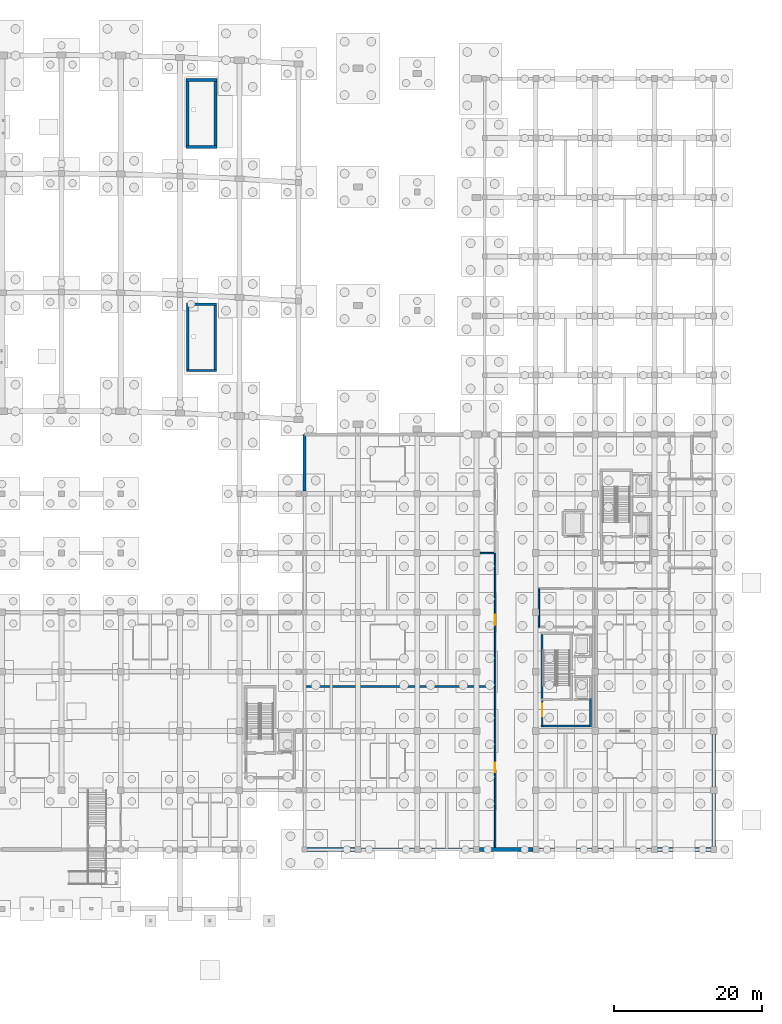
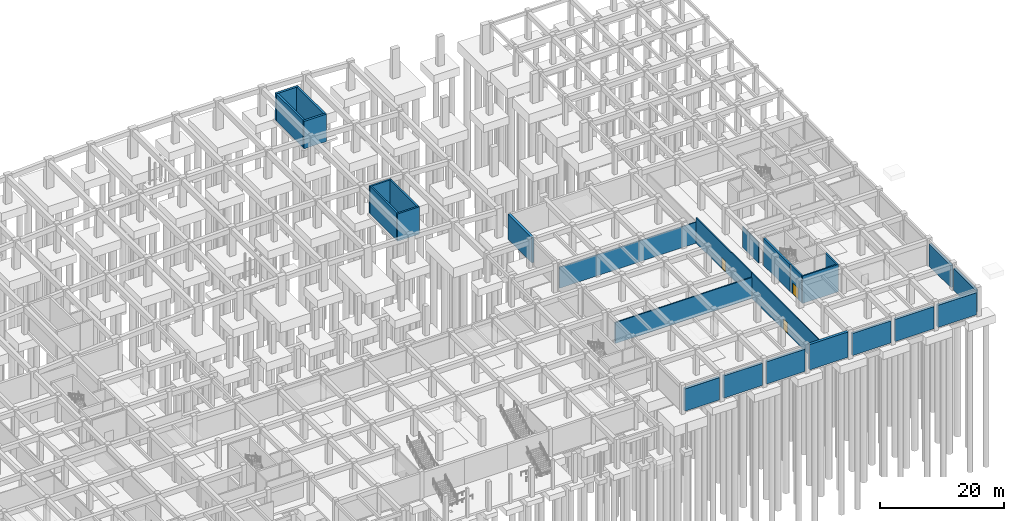
# One storey, part 29 of 45: 27 walls, 3 doors, 3 openings.
"""IFC4 building model written with IfcOpenShell, lengths in metres."""

from ifc_helpers import new_model, si_unit, direction, frame, frame_2d, origin, place, context, subcontext, project, spatial, rectangle, extrude, material, layer, layer_set, type_object, element, fill, save


model = new_model("IFC4")

# Units and contexts
model_context = context("Model", 3, precision=1e-05, world=origin(), true_north=direction((0.0, 1.0)))
body_context = subcontext(model_context, "Body", "Model", "MODEL_VIEW")
ifc_project = project(units=[si_unit("LENGTHUNIT", "METRE"), si_unit("AREAUNIT", "SQUARE_METRE"), si_unit("VOLUMEUNIT", "CUBIC_METRE"), si_unit("PLANEANGLEUNIT", "RADIAN"), si_unit("MASSUNIT", "GRAM", prefix="KILO")], contexts=[model_context])

# Site, building, storey
site_placement = place(None, origin())
site = spatial("IfcSite", under=ifc_project, at=site_placement, CompositionType="ELEMENT")
building_placement = place(site_placement, origin())
building = spatial("IfcBuilding", under=site, at=building_placement, Name="Kenh Van Central Station", CompositionType="ELEMENT")
storey_placement = place(building_placement, frame((0.0, 0.0, -5.39990234375)))
storey = spatial("IfcBuildingStorey", under=building, at=storey_placement, Name="B1", CompositionType="ELEMENT", Elevation=-5.39990234375)

# Wall, opening, door
ifc_material_1 = material(Name="Lightweight acoustic masonry blockwork", Category="masonry")
ifc_layer_1 = layer(ifc_material_1, 0.18994140625, Name="Lightweight acoustic masonry blockwork")
ifc_layer_set_1 = layer_set([ifc_layer_1], Name="Lightweight acoustic masonry blockwork")
wall_type_1 = type_object("IfcWallType", Name="WL-COMP-190", PredefinedType="SOLIDWALL", material=ifc_layer_set_1)
wall_1_placement = place(storey_placement, frame((146.5, 8.1201171875, 0.0), z_axis=(0.0, 0.0, 1.0), x_axis=(0.0, 1.0, 0.0)))
wall_1 = element("IfcWall", 1, at=wall_1_placement, inside=storey, type_object=wall_type_1, Name="B1 interior wall 0023", PredefinedType="SOLIDWALL", context=body_context, shape_type="SweptSolid", body=[
    extrude(rectangle(XDim=21.85986328125, YDim=0.18994140625, at=frame_2d((10.929931640625, 0.0))), origin(), (0.0, 0.0, 1.0), 5.0),
])
opening_1_placement = place(wall_1_placement, frame((10.280029296875, 0.0, 0.0)))
opening_1 = element("IfcOpeningElement", 2, at=opening_1_placement, cuts=wall_1, Name="Opening D-FD60P", PredefinedType="OPENING", context=body_context, shape_type="SweptSolid", body=[
    extrude(rectangle(XDim=1.300048828125, YDim=2.199951171875, at=frame_2d((0.64990234375, 1.10009765625))), frame((0.0, 0.10498046875, 0.0), z_axis=(0.0, -1.0, 0.0), x_axis=(1.0, 0.0, 0.0)), (0.0, 0.0, 1.0), 0.2099609375),
])
ifc_material_2 = material(Name="Champagne anodised aluminium", Category="aluminium")
door_type_1 = type_object("IfcDoorType", Name="DR-FIRE-1300x2200", OperationType="NOTDEFINED", PredefinedType="DOOR", material=ifc_material_2)
door_1_placement = place(opening_1_placement, origin())
door_1 = element("IfcDoor", 3, at=door_1_placement, inside=storey, type_object=door_type_1, Name="B1 interior door 0013", OperationType="SINGLE_SWING_RIGHT", OverallHeight=2.199951171875, OverallWidth=1.300048828125, PredefinedType="DOOR", context=body_context, shape_type="SweptSolid", body=[
    extrude(rectangle(XDim=1.300048828125, YDim=2.199951171875, at=frame_2d((0.64990234375, 1.10009765625))), frame((0.0, 0.02490234375, 0.0), z_axis=(0.0, -1.0, 0.0), x_axis=(1.0, 0.0, 0.0)), (0.0, 0.0, 1.0), 0.050048828125),
])
fill(opening_1, door_1)

# Walls
wall_2_placement = place(storey_placement, frame((120.919921875, 48.0, 0.0), z_axis=(0.0, 0.0, 1.0), x_axis=(1.0, 0.0, 0.0)))
element("IfcWall", 4, at=wall_2_placement, inside=storey, type_object=wall_type_1, Name="B1 interior wall 0027", PredefinedType="SOLIDWALL", context=body_context, shape_type="SweptSolid", body=[
    extrude(rectangle(XDim=25.56005859375, YDim=0.18994140625, at=frame_2d((12.780029296875, 0.0))), origin(), (0.0, 0.0, 1.0), 4.14990234375),
])
wall_3_placement = place(storey_placement, frame((152.39990234375, 38.02001953125, 0.0), z_axis=(0.0, 0.0, 1.0), x_axis=(0.0, 1.0, 0.0)))
element("IfcWall", 5, at=wall_3_placement, inside=storey, type_object=wall_type_1, Name="B1 interior wall 0037", PredefinedType="SOLIDWALL", context=body_context, shape_type="SweptSolid", body=[
    extrude(rectangle(XDim=5.159912109375, YDim=0.18994140625, at=frame_2d((2.580078125, 0.0))), origin(), (0.0, 0.0, 1.0), 4.10986328125),
])

# Wall, opening, door
ifc_layer_2 = layer(ifc_material_1, 0.2099609375, Name="Lightweight acoustic masonry blockwork")
ifc_layer_set_2 = layer_set([ifc_layer_2], Name="Lightweight acoustic masonry blockwork")
wall_type_2 = type_object("IfcWallType", Name="WL-COMP-210", PredefinedType="SOLIDWALL", material=ifc_layer_set_2)
wall_4_placement = place(storey_placement, frame((146.5, 30.02001953125, 0.0), z_axis=(0.0, 0.0, 1.0), x_axis=(0.0, 1.0, 0.0)))
wall_4 = element("IfcWall", 6, at=wall_4_placement, inside=storey, type_object=wall_type_2, Name="B1 interior wall 0024", PredefinedType="SOLIDWALL", context=body_context, shape_type="SweptSolid", body=[
    extrude(rectangle(XDim=17.9599609375, YDim=0.2099609375, at=frame_2d((8.97998046875, 0.0))), origin(), (0.0, 0.0, 1.0), 5.0),
])
opening_2_placement = place(wall_4_placement, frame((8.330078125, 0.0, 0.0)))
opening_2 = element("IfcOpeningElement", 7, at=opening_2_placement, cuts=wall_4, Name="Opening D-FD60P", PredefinedType="OPENING", context=body_context, shape_type="SweptSolid", body=[
    extrude(rectangle(XDim=1.300048828125, YDim=2.199951171875, at=frame_2d((0.64990234375, 1.10009765625))), frame((0.0, 0.114990234375, 0.0), z_axis=(0.0, -1.0, 0.0), x_axis=(1.0, 0.0, 0.0)), (0.0, 0.0, 1.0), 0.22998046875),
])
door_2_placement = place(opening_2_placement, origin())
door_2 = element("IfcDoor", 8, at=door_2_placement, inside=storey, type_object=door_type_1, Name="B1 interior door 0014", OperationType="SINGLE_SWING_LEFT", OverallHeight=2.199951171875, OverallWidth=1.300048828125, PredefinedType="DOOR", context=body_context, shape_type="SweptSolid", body=[
    extrude(rectangle(XDim=1.300048828125, YDim=2.199951171875, at=frame_2d((0.64990234375, 1.10009765625))), frame((0.0, 0.02490234375, 0.0), z_axis=(0.0, -1.0, 0.0), x_axis=(1.0, 0.0, 0.0)), (0.0, 0.0, 1.0), 0.050048828125),
])
fill(opening_2, door_2)

# Walls
wall_5_placement = place(storey_placement, frame((120.919921875, 30.0, 0.0), z_axis=(0.0, 0.0, 1.0), x_axis=(1.0, 0.0, 0.0)))
element("IfcWall", 9, at=wall_5_placement, inside=storey, type_object=wall_type_2, Name="B1 interior wall 0026", PredefinedType="SOLIDWALL", context=body_context, shape_type="SweptSolid", body=[
    extrude(rectangle(XDim=25.56005859375, YDim=0.2099609375, at=frame_2d((12.780029296875, 0.0))), origin(), (0.0, 0.0, 1.0), 4.14990234375),
])
ifc_material_3 = material(Name="Concrete C40/50", Category="concrete")
ifc_layer_3 = layer(ifc_material_3, 0.320068359375, Name="Concrete C40/50")
ifc_layer_set_3 = layer_set([ifc_layer_3], Name="Concrete C40/50")
wall_type_3 = type_object("IfcWallType", Name="WL-CORE-320", PredefinedType="SHEAR", material=ifc_layer_set_3)
for number, where, z_axis, x_axis, name in (
    (10, (104.8798828125, 72.639892578125, 0.0), (0.0, 0.0, 1.0), (1.0, 0.0, 0.0), "B1 CORE-06 foundation shear wall S"),
    (11, (104.8798828125, 81.56005859375, 0.0), (0.0, 0.0, 1.0), (1.0, 0.0, 0.0), "B1 CORE-06 foundation shear wall N"),
):
    element("IfcWall", number, at=place(storey_placement, frame(where, z_axis=z_axis, x_axis=x_axis)), inside=storey, type_object=wall_type_3, Name=name, PredefinedType="SHEAR", context=body_context, shape_type="SweptSolid", body=[
        extrude(rectangle(XDim=4.0400390625, YDim=0.320068359375, at=frame_2d((2.02001953125, 0.0))), origin(), (0.0, 0.0, 1.0), 5.39990234375),
    ])
for number, where, z_axis, x_axis, name in (
    (12, (105.0400390625, 72.800048828125, 0.0), (0.0, 0.0, 1.0), (0.0, 1.0, 0.0), "B1 CORE-06 foundation shear wall W"),
    (13, (108.760009765625, 72.800048828125, 0.0), (0.0, 0.0, 1.0), (0.0, 1.0, 0.0), "B1 CORE-06 foundation shear wall E"),
):
    element("IfcWall", number, at=place(storey_placement, frame(where, z_axis=z_axis, x_axis=x_axis)), inside=storey, type_object=wall_type_3, Name=name, PredefinedType="SHEAR", context=body_context, shape_type="SweptSolid", body=[
        extrude(rectangle(XDim=8.599853515625, YDim=0.320068359375, at=frame_2d((4.2998046875, 0.0))), origin(), (0.0, 0.0, 1.0), 5.39990234375),
    ])
wall_6_placement = place(storey_placement, frame((152.840087890625, 28.39990234375, 0.0), z_axis=(0.0, 0.0, 1.0), x_axis=(0.0, 1.0, 0.0)))
element("IfcWall", 14, at=wall_6_placement, inside=storey, type_object=wall_type_3, Name="B1 CORE-09 stair wall W", PredefinedType="SHEAR", context=body_context, shape_type="SweptSolid", body=[
    extrude(rectangle(XDim=8.60009765625, YDim=0.320068359375, at=frame_2d((4.300048828125, 0.0))), origin(), (0.0, 0.0, 1.0), 5.39990234375),
])
ifc_layer_4 = layer(ifc_material_3, 0.39990234375, Name="Concrete C40/50")
ifc_layer_set_4 = layer_set([ifc_layer_4], Name="Concrete C40/50")
wall_type_4 = type_object("IfcWallType", Name="WL-CORE-400", PredefinedType="SHEAR", material=ifc_layer_set_4)
for number, where, z_axis, x_axis, name in (
    (15, (104.800048828125, 102.800048828125, 0.0), (0.0, 0.0, 1.0), (1.0, 0.0, 0.0), "B1 CORE-08 foundation shear wall S"),
    (16, (104.800048828125, 111.800048828125, 0.0), (0.0, 0.0, 1.0), (1.0, 0.0, 0.0), "B1 CORE-08 foundation shear wall N"),
):
    element("IfcWall", number, at=place(storey_placement, frame(where, z_axis=z_axis, x_axis=x_axis)), inside=storey, type_object=wall_type_4, Name=name, PredefinedType="SHEAR", context=body_context, shape_type="SweptSolid", body=[
        extrude(rectangle(XDim=4.199951171875, YDim=0.39990234375, at=frame_2d((2.10009765625, 0.0))), origin(), (0.0, 0.0, 1.0), 5.39990234375),
    ])
for number, where, z_axis, x_axis, name in (
    (17, (105.0, 103.0, 0.0), (0.0, 0.0, 1.0), (0.0, 1.0, 0.0), "B1 CORE-08 foundation shear wall W"),
    (18, (108.800048828125, 103.0, 0.0), (0.0, 0.0, 1.0), (0.0, 1.0, 0.0), "B1 CORE-08 foundation shear wall E"),
):
    element("IfcWall", number, at=place(storey_placement, frame(where, z_axis=z_axis, x_axis=x_axis)), inside=storey, type_object=wall_type_4, Name=name, PredefinedType="SHEAR", context=body_context, shape_type="SweptSolid", body=[
        extrude(rectangle(XDim=8.60009765625, YDim=0.39990234375, at=frame_2d((4.300048828125, 0.0))), origin(), (0.0, 0.0, 1.0), 5.39990234375),
    ])
ifc_layer_5 = layer(ifc_material_3, 0.260009765625, Name="Concrete C40/50")
ifc_layer_set_5 = layer_set([ifc_layer_5], Name="Concrete C40/50")
wall_type_5 = type_object("IfcWallType", Name="WL-FIRE-260", PredefinedType="SHEAR", material=ifc_layer_set_5)
wall_7_placement = place(storey_placement, frame((159.510009765625, 24.669921875, 0.0), z_axis=(0.0, 0.0, 1.0), x_axis=(-1.0, 0.0, 0.0)))
element("IfcWall", 19, at=wall_7_placement, inside=storey, type_object=wall_type_5, Name="B1 CORE-09 lobby wall S", PredefinedType="SHEAR", context=body_context, shape_type="SweptSolid", body=[
    extrude(rectangle(XDim=6.77001953125, YDim=0.260009765625, at=frame_2d((3.385009765625, 0.0))), origin(), (0.0, 0.0, 1.0), 5.39990234375),
])

# Wall, opening, door
wall_8_placement = place(storey_placement, frame((152.8701171875, 24.5400390625, 0.0), z_axis=(0.0, 0.0, 1.0), x_axis=(0.0, 1.0, 0.0)))
wall_8 = element("IfcWall", 20, at=wall_8_placement, inside=storey, type_object=wall_type_5, Name="B1 CORE-09 lobby wall W", PredefinedType="SHEAR", context=body_context, shape_type="SweptSolid", body=[
    extrude(rectangle(XDim=3.85986328125, YDim=0.260009765625, at=frame_2d((1.929931640625, 0.0))), origin(), (0.0, 0.0, 1.0), 5.39990234375),
])
opening_3_placement = place(wall_8_placement, frame((1.4599609375, 0.0, 0.0)))
opening_3 = element("IfcOpeningElement", 21, at=opening_3_placement, cuts=wall_8, Name="Opening D-FD60D", PredefinedType="OPENING", context=body_context, shape_type="SweptSolid", body=[
    extrude(rectangle(XDim=1.699951171875, YDim=2.199951171875, at=frame_2d((0.85009765625, 1.10009765625))), frame((0.0, 0.139892578125, 0.0), z_axis=(0.0, -1.0, 0.0), x_axis=(1.0, 0.0, 0.0)), (0.0, 0.0, 1.0), 0.280029296875),
])
door_type_2 = type_object("IfcDoorType", Name="DR-FIRE-1700x2200", OperationType="DOUBLE_DOOR_SINGLE_SWING", PredefinedType="DOOR", material=ifc_material_2)
door_3_placement = place(opening_3_placement, origin())
door_3 = element("IfcDoor", 22, at=door_3_placement, inside=storey, type_object=door_type_2, Name="B1 CORE-09 smoke-stop lobby door", OperationType="DOUBLE_DOOR_SINGLE_SWING", OverallHeight=2.199951171875, OverallWidth=1.699951171875, PredefinedType="DOOR", context=body_context, shape_type="SweptSolid", body=[
    extrude(rectangle(XDim=1.699951171875, YDim=2.199951171875, at=frame_2d((0.85009765625, 1.10009765625))), frame((0.0, 0.02490234375, 0.0), z_axis=(0.0, -1.0, 0.0), x_axis=(1.0, 0.0, 0.0)), (0.0, 0.0, 1.0), 0.050048828125),
])
fill(opening_3, door_3)

# Walls
wall_9_placement = place(storey_placement, frame((159.3798828125, 24.5400390625, 0.0), z_axis=(0.0, 0.0, 1.0), x_axis=(0.0, 1.0, 0.0)))
element("IfcWall", 23, at=wall_9_placement, inside=storey, type_object=wall_type_5, Name="B1 CORE-09 lobby wall E", PredefinedType="SHEAR", context=body_context, shape_type="SweptSolid", body=[
    extrude(rectangle(XDim=3.85986328125, YDim=0.260009765625, at=frame_2d((1.929931640625, 0.0))), origin(), (0.0, 0.0, 1.0), 5.39990234375),
])
ifc_layer_6 = layer(ifc_material_3, 0.419921875, Name="Concrete C40/50")
ifc_layer_set_6 = layer_set([ifc_layer_6], Name="Concrete C40/50")
wall_type_6 = type_object("IfcWallType", Name="WL-RET-420", PredefinedType="USERDEFINED", material=ifc_layer_set_6)
wall_10_placement = place(storey_placement, frame((176.0, 8.39990234375, 0.0), z_axis=(0.0, 0.0, 1.0), x_axis=(0.0, 1.0, 0.0)))
element("IfcWall", 24, at=wall_10_placement, inside=storey, type_object=wall_type_6, Name="B1 retaining wall 036", ObjectType="RETAININGWALL", PredefinedType="USERDEFINED", context=body_context, shape_type="SweptSolid", body=[
    extrude(rectangle(XDim=7.150146484375, YDim=0.419921875, at=frame_2d((3.5751953125, 0.0))), origin(), (0.0, 0.0, 1.0), 4.35986328125),
])
wall_11_placement = place(storey_placement, frame((128.39990234375, 8.0, 0.0), z_axis=(0.0, 0.0, 1.0), x_axis=(1.0, 0.0, 0.0)))
element("IfcWall", 25, at=wall_11_placement, inside=storey, type_object=wall_type_6, Name="B1 retaining wall 051", ObjectType="RETAININGWALL", PredefinedType="USERDEFINED", context=body_context, shape_type="SweptSolid", body=[
    extrude(rectangle(XDim=7.2001953125, YDim=0.419921875, at=frame_2d((3.60009765625, 0.0))), origin(), (0.0, 0.0, 1.0), 4.39990234375),
])
wall_12_placement = place(storey_placement, frame((152.39990234375, 8.0, 0.0), z_axis=(0.0, 0.0, 1.0), x_axis=(1.0, 0.0, 0.0)))
element("IfcWall", 26, at=wall_12_placement, inside=storey, type_object=wall_type_6, Name="B1 retaining wall 054", ObjectType="RETAININGWALL", PredefinedType="USERDEFINED", context=body_context, shape_type="SweptSolid", body=[
    extrude(rectangle(XDim=7.2001953125, YDim=0.419921875, at=frame_2d((3.60009765625, 0.0))), origin(), (0.0, 0.0, 1.0), 4.35986328125),
])
ifc_layer_7 = layer(ifc_material_3, 0.449951171875, Name="Concrete C40/50")
ifc_layer_set_7 = layer_set([ifc_layer_7], Name="Concrete C40/50")
wall_type_7 = type_object("IfcWallType", Name="WL-RET-450", PredefinedType="USERDEFINED", material=ifc_layer_set_7)
wall_13_placement = place(storey_placement, frame((176.0, 16.449951171875, 0.0), z_axis=(0.0, 0.0, 1.0), x_axis=(0.0, 1.0, 0.0)))
element("IfcWall", 27, at=wall_13_placement, inside=storey, type_object=wall_type_7, Name="B1 retaining wall 037", ObjectType="RETAININGWALL", PredefinedType="USERDEFINED", context=body_context, shape_type="SweptSolid", body=[
    extrude(rectangle(XDim=7.10009765625, YDim=0.449951171875, at=frame_2d((3.550048828125, 0.0))), origin(), (0.0, 0.0, 1.0), 4.35986328125),
])
wall_14_placement = place(storey_placement, frame((120.800048828125, 56.35009765625, 0.0), z_axis=(0.0, 0.0, 1.0), x_axis=(0.0, 1.0, 0.0)))
element("IfcWall", 28, at=wall_14_placement, inside=storey, type_object=wall_type_7, Name="B1 retaining wall 049", ObjectType="RETAININGWALL", PredefinedType="USERDEFINED", context=body_context, shape_type="SweptSolid", body=[
    extrude(rectangle(XDim=7.64990234375, YDim=0.449951171875, at=frame_2d((3.824951171875, 0.0))), origin(), (0.0, 0.0, 1.0), 5.0),
])
wall_15_placement = place(storey_placement, frame((136.39990234375, 8.0, 0.0), z_axis=(0.0, 0.0, 1.0), x_axis=(1.0, 0.0, 0.0)))
element("IfcWall", 29, at=wall_15_placement, inside=storey, type_object=wall_type_7, Name="B1 retaining wall 052", ObjectType="RETAININGWALL", PredefinedType="USERDEFINED", context=body_context, shape_type="SweptSolid", body=[
    extrude(rectangle(XDim=7.2001953125, YDim=0.449951171875, at=frame_2d((3.60009765625, 0.0))), origin(), (0.0, 0.0, 1.0), 4.39990234375),
])
wall_16_placement = place(storey_placement, frame((160.39990234375, 8.0, 0.0), z_axis=(0.0, 0.0, 1.0), x_axis=(1.0, 0.0, 0.0)))
element("IfcWall", 30, at=wall_16_placement, inside=storey, type_object=wall_type_7, Name="B1 retaining wall 055", ObjectType="RETAININGWALL", PredefinedType="USERDEFINED", context=body_context, shape_type="SweptSolid", body=[
    extrude(rectangle(XDim=7.2001953125, YDim=0.449951171875, at=frame_2d((3.60009765625, 0.0))), origin(), (0.0, 0.0, 1.0), 4.35986328125),
])
ifc_layer_8 = layer(ifc_material_3, 0.5, Name="Concrete C40/50")
ifc_layer_set_8 = layer_set([ifc_layer_8], Name="Concrete C40/50")
wall_type_8 = type_object("IfcWallType", Name="WL-RET-500", PredefinedType="USERDEFINED", material=ifc_layer_set_8)
wall_17_placement = place(storey_placement, frame((121.14990234375, 8.0, 0.0), z_axis=(0.0, 0.0, 1.0), x_axis=(1.0, 0.0, 0.0)))
element("IfcWall", 31, at=wall_17_placement, inside=storey, type_object=wall_type_8, Name="B1 retaining wall 050", ObjectType="RETAININGWALL", PredefinedType="USERDEFINED", context=body_context, shape_type="SweptSolid", body=[
    extrude(rectangle(XDim=6.4501953125, YDim=0.5, at=frame_2d((3.22509765625, 0.0))), origin(), (0.0, 0.0, 1.0), 4.39990234375),
])
wall_18_placement = place(storey_placement, frame((144.39990234375, 8.0, 0.0), z_axis=(0.0, 0.0, 1.0), x_axis=(1.0, 0.0, 0.0)))
element("IfcWall", 32, at=wall_18_placement, inside=storey, type_object=wall_type_8, Name="B1 retaining wall 053", ObjectType="RETAININGWALL", PredefinedType="USERDEFINED", context=body_context, shape_type="SweptSolid", body=[
    extrude(rectangle(XDim=7.2001953125, YDim=0.5, at=frame_2d((3.60009765625, 0.0))), origin(), (0.0, 0.0, 1.0), 5.0),
])
wall_19_placement = place(storey_placement, frame((168.39990234375, 8.0, 0.0), z_axis=(0.0, 0.0, 1.0), x_axis=(1.0, 0.0, 0.0)))
element("IfcWall", 33, at=wall_19_placement, inside=storey, type_object=wall_type_8, Name="B1 retaining wall 056", ObjectType="RETAININGWALL", PredefinedType="USERDEFINED", context=body_context, shape_type="SweptSolid", body=[
    extrude(rectangle(XDim=7.2001953125, YDim=0.5, at=frame_2d((3.60009765625, 0.0))), origin(), (0.0, 0.0, 1.0), 4.35986328125),
])

save(model, "model.ifc")
